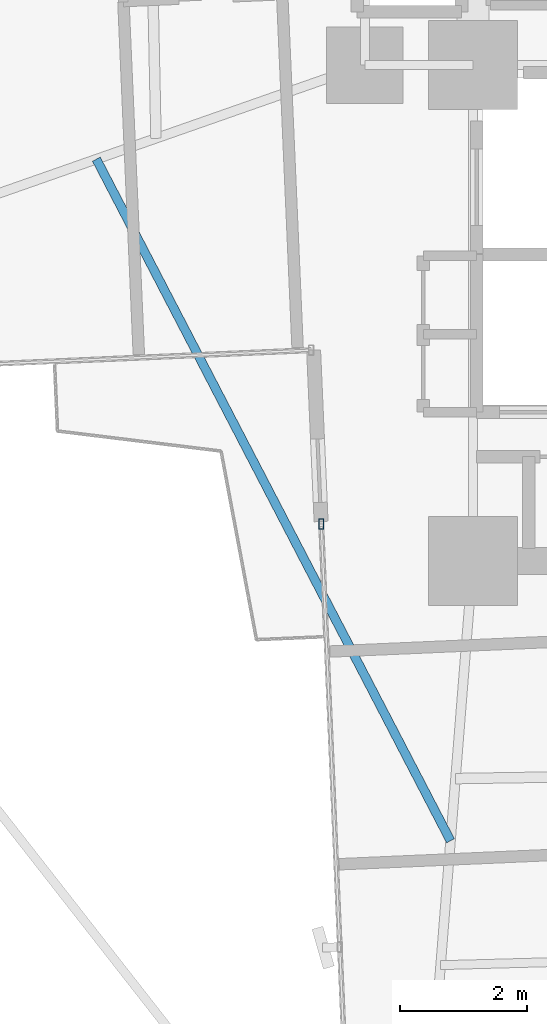
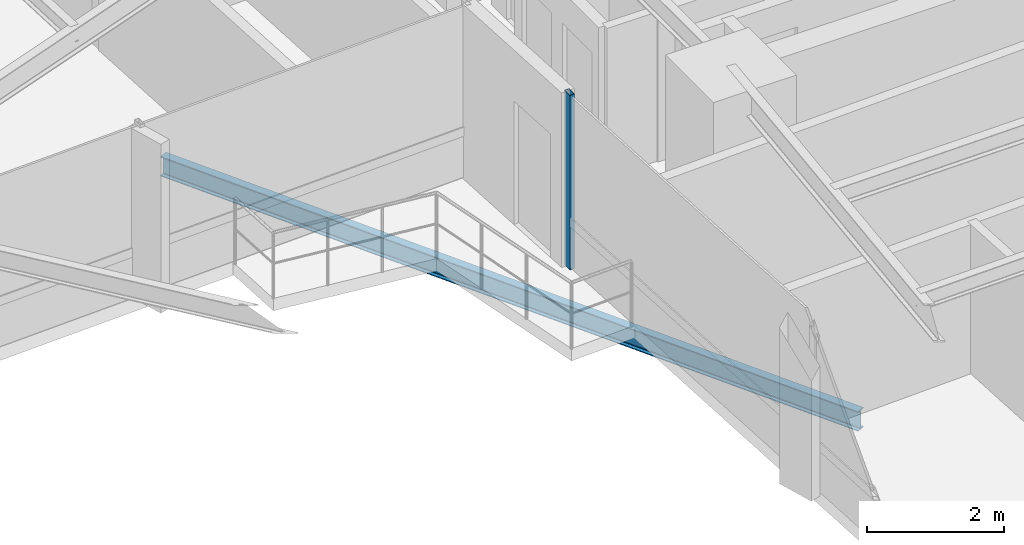
# One storey, part 5 of 26: 1 beam, 1 member, 1 element without a shape of its own.
"""IFC4 building model written with IfcOpenShell, lengths in metres."""

from ifc_helpers import new_model, si_unit, direction, frame, origin, origin_2d, place, context, subcontext, project, spatial, hollow_rectangle, i_section, extrude, source, transform, mapped, material, material_profile, profile_set, type_object, element, aggregate, save


model = new_model("IFC4")

# Units and contexts
model_context = context("Model", 3, precision=1e-05, world=origin(), true_north=direction((0.0, 1.0)))
body_context = subcontext(model_context, "Body", "Model", "MODEL_VIEW")
ifc_project = project(units=[si_unit("LENGTHUNIT", "METRE"), si_unit("AREAUNIT", "SQUARE_METRE"), si_unit("VOLUMEUNIT", "CUBIC_METRE"), si_unit("PLANEANGLEUNIT", "RADIAN"), si_unit("MASSUNIT", "GRAM", prefix="KILO")], contexts=[model_context])

# Site, building, storey
site_placement = place(None, origin())
site = spatial("IfcSite", under=ifc_project, at=site_placement, CompositionType="ELEMENT")
building_placement = place(site_placement, origin())
building = spatial("IfcBuilding", under=site, at=building_placement, Name="Sahyath Konkavel Grand Hotel", CompositionType="ELEMENT")
storey_placement = place(building_placement, frame((0.0, 0.0, 93.550048828125)))
storey = spatial("IfcBuildingStorey", under=building, at=storey_placement, Name="L25", CompositionType="ELEMENT", Elevation=93.550048828125)

# Curtain wall, member
ifc_material_1 = material(Name="Anodised Bronze Aluminium & Low-E Glazing", Category="aluminium")
curtain_wall_type = type_object("IfcCurtainWallType", Name="CW-ZONE2", PredefinedType="NOTDEFINED", material=ifc_material_1)
curtain_wall_placement = place(storey_placement, origin())
curtain_wall = element("IfcCurtainWall", 1, at=curtain_wall_placement, inside=storey, type_object=curtain_wall_type, Name="L25 Unitised Curtain Wall F24", PredefinedType="NOTDEFINED")
ifc_material_2 = material(Name="Anodised Bronze Aluminium", Category="aluminium")
ifc_material_profile_1 = material_profile(ifc_material_2, hollow_rectangle(XDim=0.080078125, YDim=0.159912109375, WallThickness=0.006103515625, at=origin_2d()), Name="RHS 160x80x6")
ifc_profile_set_1 = profile_set([ifc_material_profile_1], Name="Anodised Bronze Aluminium")
member_type = type_object("IfcMemberType", Name="CW-MUL-160", PredefinedType="MULLION", material=ifc_profile_set_1)
shared_shape_1 = source(origin(), body_context, "Body", "SweptSolid", [
    extrude(hollow_rectangle(XDim=0.080078125, YDim=0.159912109375, WallThickness=0.006103515625, at=origin_2d()), origin(), (0.0, 0.0, 1.0), 3.10986328125),
])
member_placement = place(storey_placement, frame((-6.186279296875, -9.618896484375, 0.0), z_axis=(0.0, 0.0, 1.0), x_axis=(1.0, 0.0, 0.0)))
member = element("IfcMember", 2, at=member_placement, type_object=member_type, Name="L25 Curtain Wall Mullion F24-0", PredefinedType="MULLION", context=body_context, shape_type="MappedRepresentation", body=[
    mapped(shared_shape_1, transform((0.0, 0.0, 0.0), scale=1.0)),
])
aggregate(curtain_wall, [member])

# Beam
ifc_material_3 = material(Name="Steel E350", Category="steel")
ifc_material_profile_2 = material_profile(ifc_material_3, i_section(OverallWidth=0.139892578125, OverallDepth=0.35009765625, WebThickness=0.008056640625, FlangeThickness=0.01416015625, FilletRadius=0.013916015625, at=origin_2d()), Name="ISMB 350")
ifc_profile_set_2 = profile_set([ifc_material_profile_2], Name="Steel E350")
beam_type = type_object("IfcBeamType", Name="BM-BALC-CANT", PredefinedType="BEAM", material=ifc_profile_set_2)
shared_shape_2 = source(origin(), body_context, "Body", "SweptSolid", [
    extrude(i_section(OverallWidth=0.139892578125, OverallDepth=0.35009765625, WebThickness=0.008056640625, FlangeThickness=0.01416015625, FilletRadius=0.013916015625, at=origin_2d()), origin(), (0.0, 0.0, 1.0), 12.085205078125),
])
beam_placement = place(storey_placement, frame((-9.7236328125, -3.87890625, -0.4150390625), z_axis=(0.461082384626, -0.887357331962, 0.0), x_axis=(0.887357331962, 0.461082384626, 0.0)))
element("IfcBeam", 3, at=beam_placement, inside=storey, type_object=beam_type, Name="L25 Balcony Cantilever Support Beam SW", PredefinedType="BEAM", context=body_context, shape_type="MappedRepresentation", body=[
    mapped(shared_shape_2, transform((0.0, 0.0, 0.0), scale=1.0)),
])

save(model, "model.ifc")
